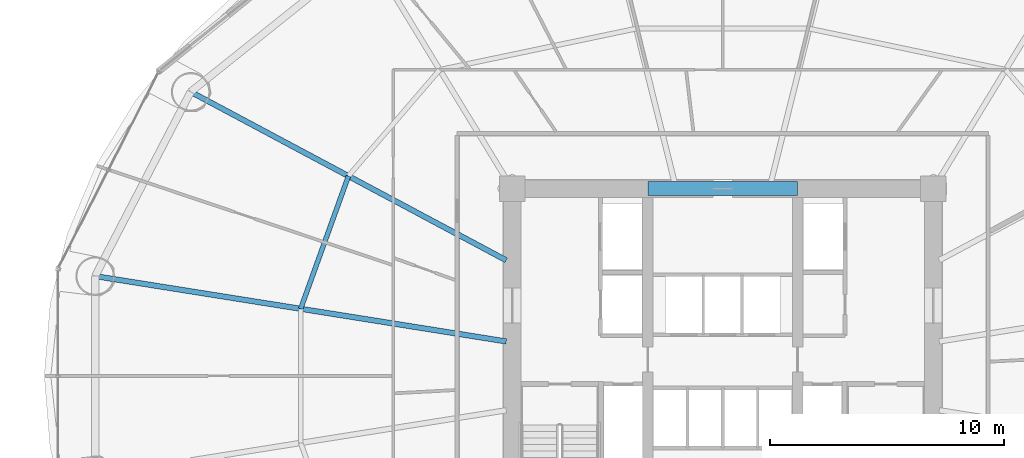
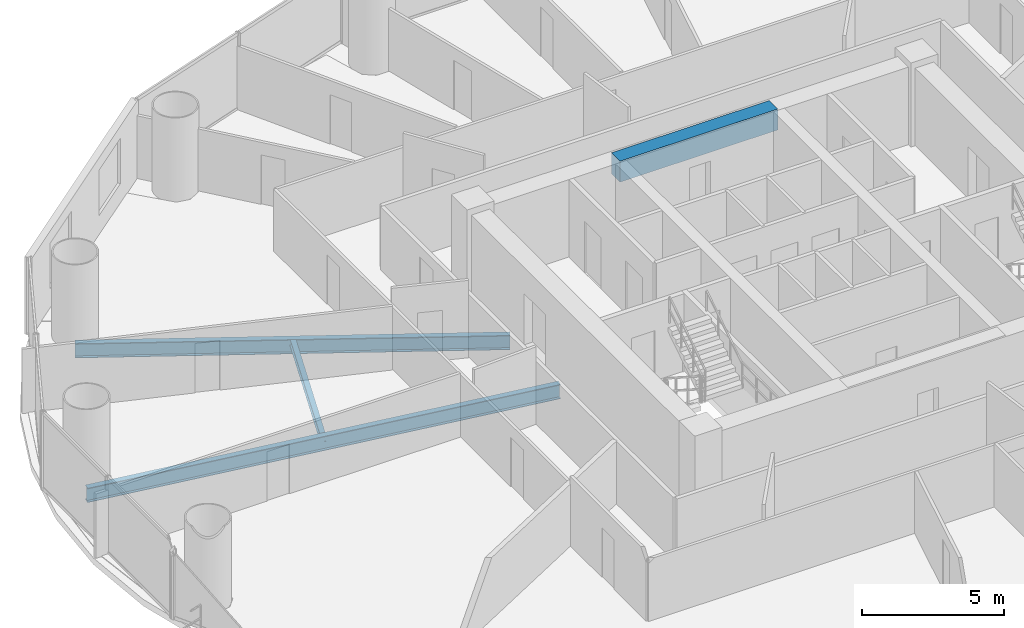
# One storey, part 10 of 30: 4 beams.
"""IFC4 building model written with IfcOpenShell, lengths in metres."""

from ifc_helpers import new_model, si_unit, direction, frame, origin, origin_2d, place, context, subcontext, project, spatial, rectangle, i_section, extrude, material, material_profile, profile_set, type_object, element, save


model = new_model("IFC4")

# Units and contexts
model_context = context("Model", 3, precision=1e-05, world=origin(), true_north=direction((-0.2419218956, 0.970295726276)))
body_context = subcontext(model_context, "Body", "Model", "MODEL_VIEW")
ifc_project = project(units=[si_unit("LENGTHUNIT", "METRE"), si_unit("AREAUNIT", "SQUARE_METRE"), si_unit("VOLUMEUNIT", "CUBIC_METRE"), si_unit("PLANEANGLEUNIT", "RADIAN"), si_unit("MASSUNIT", "GRAM", prefix="KILO")], contexts=[model_context])

# Site, building, storey
site_placement = place(None, origin())
site = spatial("IfcSite", under=ifc_project, at=site_placement, CompositionType="ELEMENT")
building_placement = place(site_placement, origin())
building = spatial("IfcBuilding", under=site, at=building_placement, Name="Cobrevalo Terracotta Tower", CompositionType="ELEMENT")
storey_placement = place(building_placement, frame((0.0, 0.0, 60.0)))
storey = spatial("IfcBuildingStorey", under=building, at=storey_placement, Name="L15", CompositionType="ELEMENT", Elevation=60.0)

# Beams
ifc_material_1 = material(Name="Concrete C60", Category="concrete")
ifc_material_profile_1 = material_profile(ifc_material_1, rectangle(XDim=0.60009765625, YDim=0.89990234375, at=origin_2d()), Name="RC CB 600x900")
ifc_profile_set_1 = profile_set([ifc_material_profile_1], Name="Concrete C60")
beam_type_1 = type_object("IfcBeamType", Name="Structural Beam RC CB 600x900 (Concrete C60)", PredefinedType="BEAM", material=ifc_profile_set_1)
beam_1_placement = place(storey_placement, frame((34.800048828125, 34.800048828125, 2.8701171875), z_axis=(1.0, 0.0, 0.0), x_axis=(0.0, 1.0, 0.0)))
element("IfcBeam", 1, at=beam_1_placement, inside=storey, type_object=beam_type_1, Name="L15 core coupling beam 2", PredefinedType="BEAM", context=body_context, shape_type="SweptSolid", body=[
    extrude(rectangle(XDim=0.60009765625, YDim=0.89990234375, at=origin_2d()), origin(), (0.0, 0.0, 1.0), 6.39990234375),
])
ifc_material_2 = material(Name="Steel S355", Category="steel")
ifc_material_profile_2 = material_profile(ifc_material_2, i_section(OverallWidth=0.22998046875, OverallDepth=0.616943359375, WebThickness=0.01318359375, FlangeThickness=0.022216796875, at=origin_2d()), Name="W 610x140")
ifc_profile_set_2 = profile_set([ifc_material_profile_2], Name="Steel S355")
beam_type_2 = type_object("IfcBeamType", Name="Structural Beam W 610x140 (Steel S355)", PredefinedType="BEAM", material=ifc_profile_set_2)
beam_2_placement = place(storey_placement, frame((15.25927734375, 38.939208984375, -0.58837890625), z_axis=(0.88218223571, -0.470908168329, 0.0), x_axis=(0.470908168329, 0.88218223571, 0.0)))
element("IfcBeam", 2, at=beam_2_placement, inside=storey, type_object=beam_type_2, Name="L15 radial floor girder 07", PredefinedType="BEAM", context=body_context, shape_type="SweptSolid", body=[
    extrude(i_section(OverallWidth=0.22998046875, OverallDepth=0.616943359375, WebThickness=0.01318359375, FlangeThickness=0.022216796875, at=origin_2d()), origin(), (0.0, 0.0, 1.0), 15.286865234375),
])
beam_3_placement = place(storey_placement, frame((11.175537109375, 31.062744140625, -0.58837890625), z_axis=(0.987607924622, -0.156941349628, 0.0), x_axis=(0.156941349628, 0.987607924622, 0.0)))
element("IfcBeam", 3, at=beam_3_placement, inside=storey, type_object=beam_type_2, Name="L15 radial floor girder 08", PredefinedType="BEAM", context=body_context, shape_type="SweptSolid", body=[
    extrude(i_section(OverallWidth=0.22998046875, OverallDepth=0.616943359375, WebThickness=0.01318359375, FlangeThickness=0.022216796875, at=origin_2d()), origin(), (0.0, 0.0, 1.0), 17.7900390625),
])
ifc_material_profile_3 = material_profile(ifc_material_2, i_section(OverallWidth=0.2041015625, OverallDepth=0.305908203125, WebThickness=0.008544921875, FlangeThickness=0.0146484375, at=origin_2d()), Name="W 310x67")
ifc_profile_set_3 = profile_set([ifc_material_profile_3], Name="Steel S355")
beam_type_3 = type_object("IfcBeamType", Name="Structural Joist W 310x67 (Steel S355)", PredefinedType="JOIST", material=ifc_profile_set_3)
beam_4_placement = place(storey_placement, frame((22.002197265625, 35.33984375, -0.43310546875), z_axis=(-0.338672151116, -0.940904444701, 0.0), x_axis=(0.940904444701, -0.338672151116, 0.0)))
element("IfcBeam", 4, at=beam_4_placement, inside=storey, type_object=beam_type_3, Name="L15 circumferential secondary floor joist 07", PredefinedType="JOIST", context=body_context, shape_type="SweptSolid", body=[
    extrude(i_section(OverallWidth=0.2041015625, OverallDepth=0.305908203125, WebThickness=0.008544921875, FlangeThickness=0.0146484375, at=origin_2d()), origin(), (0.0, 0.0, 1.0), 6.029296875),
])

save(model, "model.ifc")
